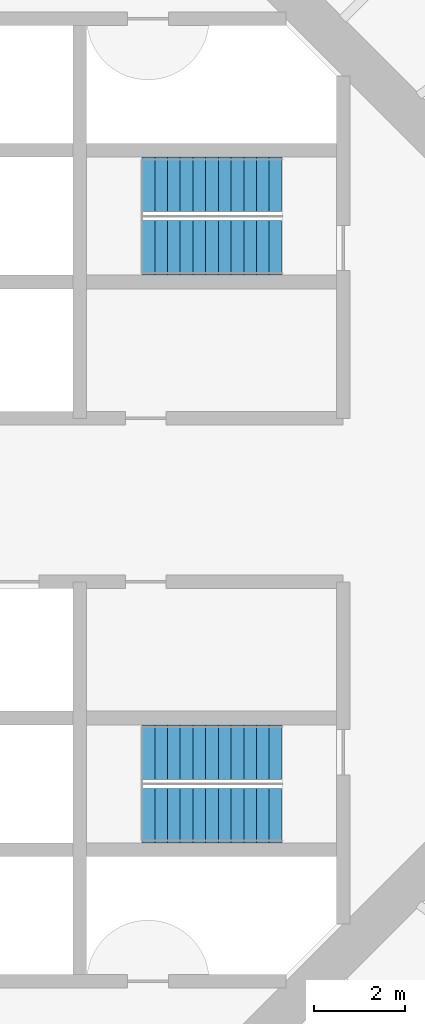
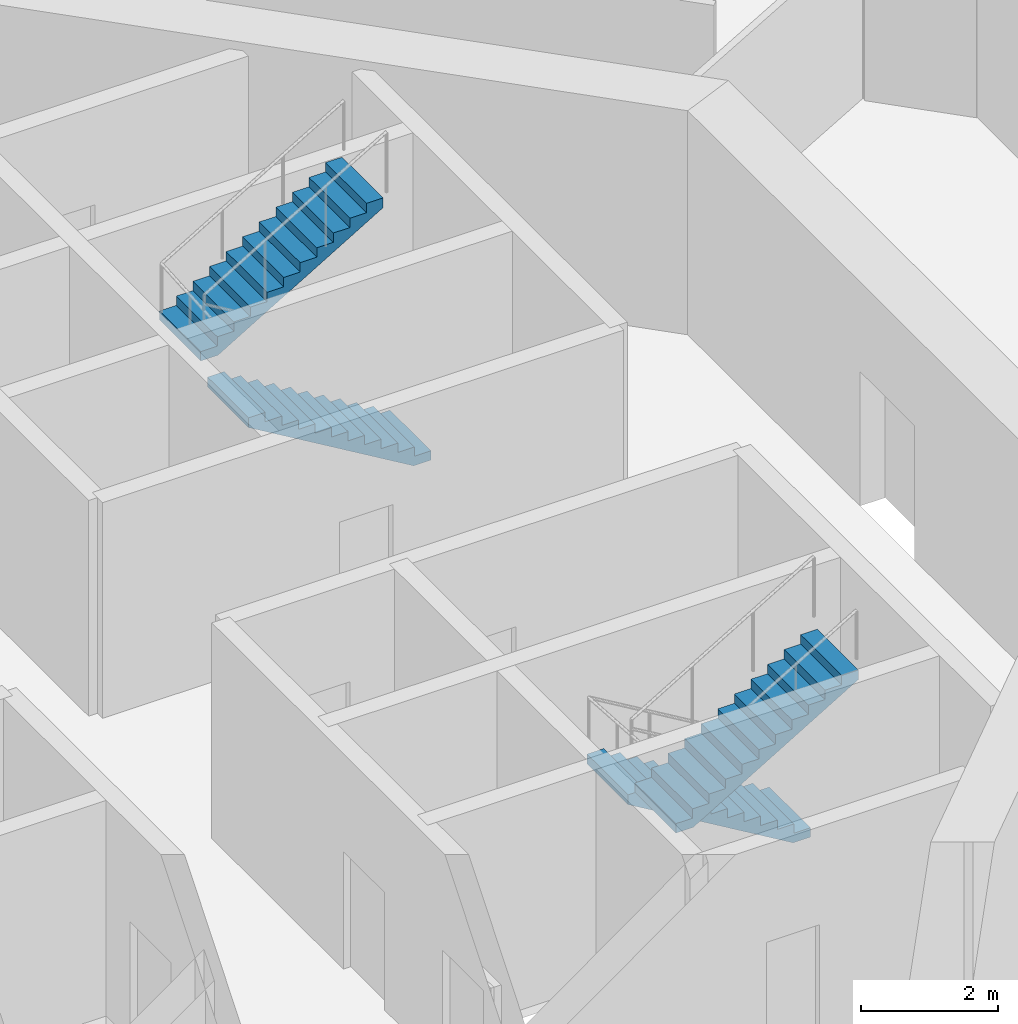
# One storey, part 6 of 13: 4 stair flights, 2 elements without a shape of their own.
"""IFC4 building model written with IfcOpenShell, lengths in metres."""

from ifc_helpers import new_model, si_unit, direction, frame, origin, place, context, subcontext, project, spatial, polyline, outline, extrude, material, type_object, element, aggregate, save


model = new_model("IFC4")

# Units and contexts
model_context = context("Model", 3, precision=1e-05, world=origin(), true_north=direction((0.0, 1.0)))
body_context = subcontext(model_context, "Body", "Model", "MODEL_VIEW")
ifc_project = project(units=[si_unit("LENGTHUNIT", "METRE"), si_unit("AREAUNIT", "SQUARE_METRE"), si_unit("VOLUMEUNIT", "CUBIC_METRE"), si_unit("PLANEANGLEUNIT", "RADIAN"), si_unit("MASSUNIT", "GRAM", prefix="KILO")], contexts=[model_context])

# Site, building, storey
site_placement = place(None, origin())
site = spatial("IfcSite", under=ifc_project, at=site_placement, CompositionType="ELEMENT")
building_placement = place(site_placement, origin())
building = spatial("IfcBuilding", under=site, at=building_placement, Name="Entoto Ring Tower", CompositionType="ELEMENT")
storey_placement = place(building_placement, frame((0.0, 0.0, 226.0)))
storey = spatial("IfcBuildingStorey", under=building, at=storey_placement, Name="L52", CompositionType="ELEMENT", Elevation=226.0)

# Stair, stair flights
ifc_material_1 = material(Name="Concrete C40/50", Category="concrete")
stair_type = type_object("IfcStairType", Name="Exit stair 1200 mm dog-leg reinforced concrete", PredefinedType="HALF_TURN_STAIR", material=ifc_material_1)
stair_1_placement = place(storey_placement, origin())
stair_1 = element("IfcStair", 1, at=stair_1_placement, inside=storey, type_object=stair_type, Name="Exit stair 1", PredefinedType="HALF_TURN_STAIR")
ifc_material_2 = material(Name="Concrete C40/50", Category="concrete")
stair_flight_type = type_object("IfcStairFlightType", Name="Stair flight 1200 mm reinforced concrete", PredefinedType="STRAIGHT", material=ifc_material_2)
stair_flight_1_placement = place(storey_placement, frame((99.25, 85.550048828125, 0.0), z_axis=(0.0, 0.0, 1.0), x_axis=(-1.0, 0.0, 0.0)))
stair_flight_1 = element("IfcStairFlight", 2, at=stair_flight_1_placement, type_object=stair_flight_type, Name="ST1 flight 1", NumberOfRisers=12, NumberOfTreads=11, PredefinedType="STRAIGHT", RiserHeight=0.166666667, TreadLength=0.28, context=body_context, shape_type="SweptSolid", body=[
    extrude(outline(polyline([(0.0, 0.0), (0.0, 0.166748046875), (0.280029296875, 0.166748046875), (0.280029296875, 0.333251953125), (0.56005859375, 0.333251953125), (0.56005859375, 0.5), (0.840087890625, 0.5), (0.840087890625, 0.666748046875), (1.1201171875, 0.666748046875), (1.1201171875, 0.833251953125), (1.39990234375, 0.833251953125), (1.39990234375, 1.0), (1.679931640625, 1.0), (1.679931640625, 1.166748046875), (1.9599609375, 1.166748046875), (1.9599609375, 1.333251953125), (2.239990234375, 1.333251953125), (2.239990234375, 1.5), (2.52001953125, 1.5), (2.52001953125, 1.666748046875), (2.800048828125, 1.666748046875), (2.800048828125, 1.833251953125), (3.080078125, 1.833251953125), (3.080078125, 2.0), (3.080078125, 1.658935546875), (0.29296875, 0.0), (0.0, 0.0)])), frame((0.0, 0.60009765625, 0.0), z_axis=(0.0, -1.0, 0.0), x_axis=(1.0, 0.0, 0.0)), (0.0, 0.0, 1.0), 1.199951171875),
])
stair_flight_2_placement = place(storey_placement, frame((96.169921875, 86.949951171875, 2.0), z_axis=(0.0, 0.0, 1.0), x_axis=(1.0, 0.0, 0.0)))
stair_flight_2 = element("IfcStairFlight", 3, at=stair_flight_2_placement, type_object=stair_flight_type, Name="ST1 flight 2", NumberOfRisers=12, NumberOfTreads=11, PredefinedType="STRAIGHT", RiserHeight=0.166666667, TreadLength=0.28, context=body_context, shape_type="SweptSolid", body=[
    extrude(outline(polyline([(0.0, 0.0), (0.0, 0.166748046875), (0.280029296875, 0.166748046875), (0.280029296875, 0.333251953125), (0.56005859375, 0.333251953125), (0.56005859375, 0.5), (0.840087890625, 0.5), (0.840087890625, 0.666748046875), (1.1201171875, 0.666748046875), (1.1201171875, 0.833251953125), (1.39990234375, 0.833251953125), (1.39990234375, 1.0), (1.679931640625, 1.0), (1.679931640625, 1.166748046875), (1.9599609375, 1.166748046875), (1.9599609375, 1.333251953125), (2.239990234375, 1.333251953125), (2.239990234375, 1.5), (2.52001953125, 1.5), (2.52001953125, 1.666748046875), (2.800048828125, 1.666748046875), (2.800048828125, 1.833251953125), (3.080078125, 1.833251953125), (3.080078125, 2.0), (3.080078125, 1.658935546875), (0.29296875, 0.0), (0.0, 0.0)])), frame((0.0, 0.60009765625, 0.0), z_axis=(0.0, -1.0, 0.0), x_axis=(1.0, 0.0, 0.0)), (0.0, 0.0, 1.0), 1.199951171875),
])
aggregate(stair_1, [stair_flight_1, stair_flight_2])

stair_2_placement = place(storey_placement, origin())
stair_2 = element("IfcStair", 4, at=stair_2_placement, inside=storey, type_object=stair_type, Name="Exit stair 3", PredefinedType="HALF_TURN_STAIR")
stair_flight_3_placement = place(storey_placement, frame((99.25, 74.449951171875, 0.0), z_axis=(0.0, 0.0, 1.0), x_axis=(-1.0, 0.0, 0.0)))
stair_flight_3 = element("IfcStairFlight", 5, at=stair_flight_3_placement, type_object=stair_flight_type, Name="ST3 flight 1", NumberOfRisers=12, NumberOfTreads=11, PredefinedType="STRAIGHT", RiserHeight=0.166666667, TreadLength=0.28, context=body_context, shape_type="SweptSolid", body=[
    extrude(outline(polyline([(0.0, 0.0), (0.0, 0.166748046875), (0.280029296875, 0.166748046875), (0.280029296875, 0.333251953125), (0.56005859375, 0.333251953125), (0.56005859375, 0.5), (0.840087890625, 0.5), (0.840087890625, 0.666748046875), (1.1201171875, 0.666748046875), (1.1201171875, 0.833251953125), (1.39990234375, 0.833251953125), (1.39990234375, 1.0), (1.679931640625, 1.0), (1.679931640625, 1.166748046875), (1.9599609375, 1.166748046875), (1.9599609375, 1.333251953125), (2.239990234375, 1.333251953125), (2.239990234375, 1.5), (2.52001953125, 1.5), (2.52001953125, 1.666748046875), (2.800048828125, 1.666748046875), (2.800048828125, 1.833251953125), (3.080078125, 1.833251953125), (3.080078125, 2.0), (3.080078125, 1.658935546875), (0.29296875, 0.0), (0.0, 0.0)])), frame((0.0, 0.60009765625, 0.0), z_axis=(0.0, -1.0, 0.0), x_axis=(1.0, 0.0, 0.0)), (0.0, 0.0, 1.0), 1.199951171875),
])
stair_flight_4_placement = place(storey_placement, frame((96.169921875, 73.050048828125, 2.0), z_axis=(0.0, 0.0, 1.0), x_axis=(1.0, 0.0, 0.0)))
stair_flight_4 = element("IfcStairFlight", 6, at=stair_flight_4_placement, type_object=stair_flight_type, Name="ST3 flight 2", NumberOfRisers=12, NumberOfTreads=11, PredefinedType="STRAIGHT", RiserHeight=0.166666667, TreadLength=0.28, context=body_context, shape_type="SweptSolid", body=[
    extrude(outline(polyline([(0.0, 0.0), (0.0, 0.166748046875), (0.280029296875, 0.166748046875), (0.280029296875, 0.333251953125), (0.56005859375, 0.333251953125), (0.56005859375, 0.5), (0.840087890625, 0.5), (0.840087890625, 0.666748046875), (1.1201171875, 0.666748046875), (1.1201171875, 0.833251953125), (1.39990234375, 0.833251953125), (1.39990234375, 1.0), (1.679931640625, 1.0), (1.679931640625, 1.166748046875), (1.9599609375, 1.166748046875), (1.9599609375, 1.333251953125), (2.239990234375, 1.333251953125), (2.239990234375, 1.5), (2.52001953125, 1.5), (2.52001953125, 1.666748046875), (2.800048828125, 1.666748046875), (2.800048828125, 1.833251953125), (3.080078125, 1.833251953125), (3.080078125, 2.0), (3.080078125, 1.658935546875), (0.29296875, 0.0), (0.0, 0.0)])), frame((0.0, 0.60009765625, 0.0), z_axis=(0.0, -1.0, 0.0), x_axis=(1.0, 0.0, 0.0)), (0.0, 0.0, 1.0), 1.199951171875),
])
aggregate(stair_2, [stair_flight_3, stair_flight_4])

save(model, "model.ifc")
